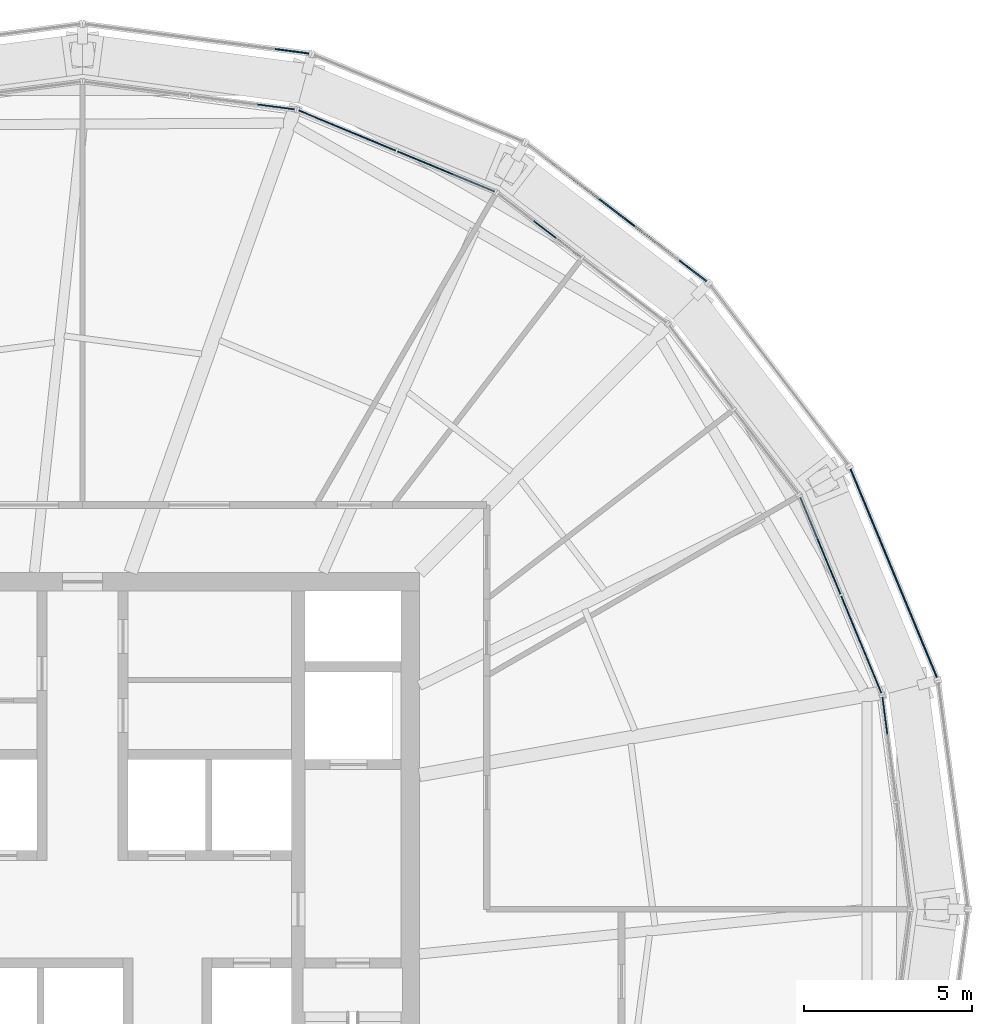
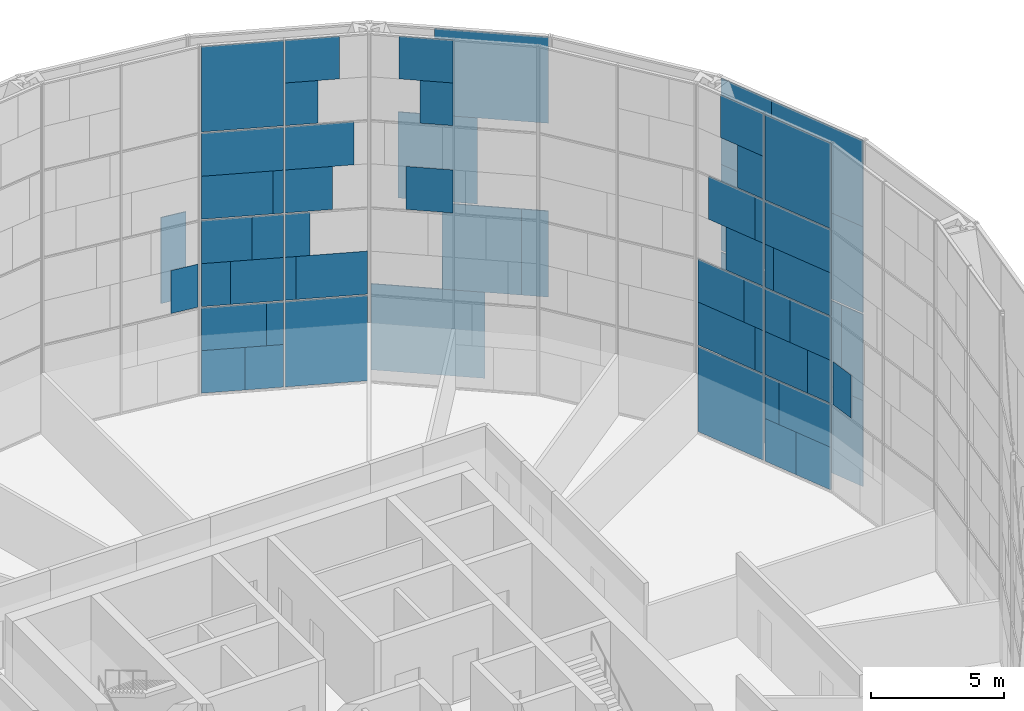
# One storey, part 25 of 30: 63 plates, 8 elements without a shape of their own.
"""IFC4 building model written with IfcOpenShell, lengths in metres."""

from ifc_helpers import new_model, si_unit, direction, frame, origin, origin_2d, place, context, subcontext, project, spatial, rectangle, extrude, material, layer, layer_set, type_object, element, aggregate, save


model = new_model("IFC4")

# Units and contexts
model_context = context("Model", 3, precision=1e-05, world=origin(), true_north=direction((0.0, 1.0)))
body_context = subcontext(model_context, "Body", "Model", "MODEL_VIEW")
ifc_project = project(units=[si_unit("LENGTHUNIT", "METRE"), si_unit("AREAUNIT", "SQUARE_METRE"), si_unit("VOLUMEUNIT", "CUBIC_METRE"), si_unit("PLANEANGLEUNIT", "RADIAN"), si_unit("MASSUNIT", "GRAM", prefix="KILO")], contexts=[model_context])

# Site, building, storey
site_placement = place(None, origin())
site = spatial("IfcSite", under=ifc_project, at=site_placement, CompositionType="ELEMENT")
building_placement = place(site_placement, origin())
building = spatial("IfcBuilding", under=site, at=building_placement, Name="Golbaran Civic Tower", CompositionType="ELEMENT")
storey_placement = place(building_placement, frame((0.0, 0.0, 102.0)))
storey = spatial("IfcBuildingStorey", under=building, at=storey_placement, Name="L24", CompositionType="ELEMENT", Elevation=102.0)

# Curtain wall, plate
ifc_material_1 = material(Name="Aluminium and glass", Category="aluminium")
curtain_wall_type_1 = type_object("IfcCurtainWallType", Name="INNER SKIN CURTAIN WALL", PredefinedType="NOTDEFINED", material=ifc_material_1)
curtain_wall_1_placement = place(storey_placement, origin())
curtain_wall_1 = element("IfcCurtainWall", 1, at=curtain_wall_1_placement, inside=storey, type_object=curtain_wall_type_1, Name="Inner skin L24 facet 1 CW1", ObjectType="INNER SKIN", PredefinedType="USERDEFINED")
ifc_material_2 = material(Name="Clear insulating glass", Category="glass")
ifc_layer_1 = layer(ifc_material_2, 0.031982421875, Name="Clear insulating glass")
ifc_layer_set_1 = layer_set([ifc_layer_1], Name="Clear insulating glass")
plate_type_1 = type_object("IfcPlateType", Name="INNER SKIN CURTAIN WALL GLAZED PANEL", PredefinedType="CURTAIN_PANEL", material=ifc_layer_set_1)
plate_1_placement = place(storey_placement, frame((23.821044921875, 5.749755859375, 4.03271484375), z_axis=(0.0, 0.0, 1.0), x_axis=(-0.130526192134, 0.991444861385, 0.0)))
plate_1 = element("IfcPlate", 2, at=plate_1_placement, type_object=plate_type_1, Name="CW1 panel 2.2 part 2", PredefinedType="CURTAIN_PANEL", context=body_context, shape_type="SweptSolid", body=[
    extrude(rectangle(XDim=1.103515625, YDim=0.031982421875, at=origin_2d()), origin(), (0.0, 0.0, 1.0), 1.967529296875),
])
aggregate(curtain_wall_1, [plate_1])

# Curtain wall, plates
curtain_wall_2_placement = place(storey_placement, origin())
curtain_wall_2 = element("IfcCurtainWall", 3, at=curtain_wall_2_placement, inside=storey, type_object=curtain_wall_type_1, Name="Inner skin L24 facet 2 CW1", ObjectType="INNER SKIN", PredefinedType="USERDEFINED")
plate_2_placement = place(storey_placement, frame((22.8046875, 8.620361328125, 0.06494140625), z_axis=(0.0, 0.0, 1.0), x_axis=(-0.382683432478, 0.923879532465, 0.0)))
plate_2 = element("IfcPlate", 4, at=plate_2_placement, type_object=plate_type_1, Name="CW1 panel 1.1 part 2", PredefinedType="CURTAIN_PANEL", context=body_context, shape_type="SweptSolid", body=[
    extrude(rectangle(XDim=1.460693359375, YDim=0.031982421875, at=origin_2d()), origin(), (0.0, 0.0, 1.0), 1.951171875),
])
plate_3_placement = place(storey_placement, frame((22.64990234375, 8.994140625, 2.016357421875), z_axis=(0.0, 0.0, 1.0), x_axis=(-0.382683432478, 0.923879532465, 0.0)))
plate_3 = element("IfcPlate", 5, at=plate_3_placement, type_object=plate_type_1, Name="CW1 panel 1.1 part 4", PredefinedType="CURTAIN_PANEL", context=body_context, shape_type="SweptSolid", body=[
    extrude(rectangle(XDim=0.651611328125, YDim=0.031982421875, at=origin_2d()), origin(), (0.0, 0.0, 1.0), 1.951171875),
])
plate_4_placement = place(storey_placement, frame((23.50439453125, 6.931396484375, 4.03271484375), z_axis=(0.0, 0.0, 1.0), x_axis=(-0.382683432478, 0.923879532465, 0.0)))
plate_4 = element("IfcPlate", 6, at=plate_4_placement, type_object=plate_type_1, Name="CW1 panel 1.2 part 1", PredefinedType="CURTAIN_PANEL", context=body_context, shape_type="SweptSolid", body=[
    extrude(rectangle(XDim=1.10400390625, YDim=0.031982421875, at=origin_2d()), origin(), (0.0, 0.0, 1.0), 1.967529296875),
])
plate_5_placement = place(storey_placement, frame((23.348388671875, 7.307861328125, 6.0), z_axis=(0.0, 0.0, 1.0), x_axis=(-0.382683432478, 0.923879532465, 0.0)))
plate_5 = element("IfcPlate", 7, at=plate_5_placement, type_object=plate_type_1, Name="CW1 panel 1.2 part 3", PredefinedType="CURTAIN_PANEL", context=body_context, shape_type="SweptSolid", body=[
    extrude(rectangle(XDim=1.9189453125, YDim=0.031982421875, at=origin_2d()), origin(), (0.0, 0.0, 1.0), 1.967529296875),
])
plate_6_placement = place(storey_placement, frame((23.197265625, 7.672607421875, 8.03271484375), z_axis=(0.0, 0.0, 1.0), x_axis=(-0.382683432478, 0.923879532465, 0.0)))
plate_6 = element("IfcPlate", 8, at=plate_6_placement, type_object=plate_type_1, Name="CW1 panel 1.3 part 1", PredefinedType="CURTAIN_PANEL", context=body_context, shape_type="SweptSolid", body=[
    extrude(rectangle(XDim=2.708984375, YDim=0.031982421875, at=origin_2d()), origin(), (0.0, 0.0, 1.0), 1.967529296875),
])
plate_7_placement = place(storey_placement, frame((23.120361328125, 7.858154296875, 10.0), z_axis=(0.0, 0.0, 1.0), x_axis=(-0.382683432478, 0.923879532465, 0.0)))
plate_7 = element("IfcPlate", 9, at=plate_7_placement, type_object=plate_type_1, Name="CW1 panel 1.3 part 3", PredefinedType="CURTAIN_PANEL", context=body_context, shape_type="SweptSolid", body=[
    extrude(rectangle(XDim=3.110595703125, YDim=0.031982421875, at=origin_2d()), origin(), (0.0, 0.0, 1.0), 1.967529296875),
])
plate_8_placement = place(storey_placement, frame((23.120361328125, 7.858154296875, 12.0322265625), z_axis=(0.0, 0.0, 1.0), x_axis=(-0.382683432478, 0.923879532465, 0.0)))
plate_8 = element("IfcPlate", 10, at=plate_8_placement, type_object=plate_type_1, Name="CW1 panel 1.4", PredefinedType="CURTAIN_PANEL", context=body_context, shape_type="SweptSolid", body=[
    extrude(rectangle(XDim=3.110595703125, YDim=0.031982421875, at=origin_2d()), origin(), (0.0, 0.0, 1.0), 3.902587890625),
])
plate_9_placement = place(storey_placement, frame((21.9052734375, 10.7919921875, 0.06494140625), z_axis=(0.0, 0.0, 1.0), x_axis=(-0.382683432478, 0.923879532465, 0.0)))
plate_9 = element("IfcPlate", 11, at=plate_9_placement, type_object=plate_type_1, Name="CW1 panel 2.1", PredefinedType="CURTAIN_PANEL", context=body_context, shape_type="SweptSolid", body=[
    extrude(rectangle(XDim=3.110595703125, YDim=0.031982421875, at=origin_2d()), origin(), (0.0, 0.0, 1.0), 3.902587890625),
])
plate_10_placement = place(storey_placement, frame((21.82861328125, 10.977294921875, 4.03271484375), z_axis=(0.0, 0.0, 1.0), x_axis=(-0.382683432478, 0.923879532465, 0.0)))
plate_10 = element("IfcPlate", 12, at=plate_10_placement, type_object=plate_type_1, Name="CW1 panel 2.2 part 2", PredefinedType="CURTAIN_PANEL", context=body_context, shape_type="SweptSolid", body=[
    extrude(rectangle(XDim=2.70947265625, YDim=0.031982421875, at=origin_2d()), origin(), (0.0, 0.0, 1.0), 1.967529296875),
])
plate_11_placement = place(storey_placement, frame((21.725341796875, 11.226318359375, 6.0), z_axis=(0.0, 0.0, 1.0), x_axis=(-0.382683432478, 0.923879532465, 0.0)))
plate_11 = element("IfcPlate", 13, at=plate_11_placement, type_object=plate_type_1, Name="CW1 panel 2.2 part 4", PredefinedType="CURTAIN_PANEL", context=body_context, shape_type="SweptSolid", body=[
    extrude(rectangle(XDim=2.170654296875, YDim=0.031982421875, at=origin_2d()), origin(), (0.0, 0.0, 1.0), 1.967529296875),
])
plate_12_placement = place(storey_placement, frame((22.423828125, 9.5400390625, 10.0), z_axis=(0.0, 0.0, 1.0), x_axis=(-0.382683432478, 0.923879532465, 0.0)))
plate_12 = element("IfcPlate", 14, at=plate_12_placement, type_object=plate_type_1, Name="CW1 panel 2.3 part 3", PredefinedType="CURTAIN_PANEL", context=body_context, shape_type="SweptSolid", body=[
    extrude(rectangle(XDim=0.39990234375, YDim=0.031982421875, at=origin_2d()), origin(), (0.0, 0.0, 1.0), 1.967529296875),
])
plate_13_placement = place(storey_placement, frame((22.2626953125, 9.928955078125, 12.032470703125), z_axis=(0.0, 0.0, 1.0), x_axis=(-0.382683432478, 0.923879532465, 0.0)))
plate_13 = element("IfcPlate", 15, at=plate_13_placement, type_object=plate_type_1, Name="CW1 panel 2.4 part 1", PredefinedType="CURTAIN_PANEL", context=body_context, shape_type="SweptSolid", body=[
    extrude(rectangle(XDim=1.241943359375, YDim=0.031982421875, at=origin_2d()), origin(), (0.0, 0.0, 1.0), 1.951171875),
])
plate_14_placement = place(storey_placement, frame((22.108154296875, 10.30224609375, 13.98388671875), z_axis=(0.0, 0.0, 1.0), x_axis=(-0.382683432478, 0.923879532465, 0.0)))
plate_14 = element("IfcPlate", 16, at=plate_14_placement, type_object=plate_type_1, Name="CW1 panel 2.4 part 3", PredefinedType="CURTAIN_PANEL", context=body_context, shape_type="SweptSolid", body=[
    extrude(rectangle(XDim=2.050048828125, YDim=0.031982421875, at=origin_2d()), origin(), (0.0, 0.0, 1.0), 1.951171875),
])

curtain_wall_3_placement = place(storey_placement, origin())
curtain_wall_3 = element("IfcCurtainWall", 17, at=curtain_wall_3_placement, inside=storey, type_object=curtain_wall_type_1, Name="Inner skin L24 facet 4 CW1", ObjectType="INNER SKIN", PredefinedType="USERDEFINED")
plate_15_placement = place(storey_placement, frame((14.315673828125, 19.72998046875, 12.032470703125), z_axis=(0.0, 0.0, 1.0), x_axis=(-0.793353340302, 0.608761428995, 0.0)))
plate_15 = element("IfcPlate", 18, at=plate_15_placement, type_object=plate_type_1, Name="CW1 panel 2.4 part 1", PredefinedType="CURTAIN_PANEL", context=body_context, shape_type="SweptSolid", body=[
    extrude(rectangle(XDim=1.241943359375, YDim=0.031982421875, at=origin_2d()), origin(), (0.0, 0.0, 1.0), 1.951171875),
])
plate_16_placement = place(storey_placement, frame((13.9951171875, 19.97607421875, 13.98388671875), z_axis=(0.0, 0.0, 1.0), x_axis=(-0.793353340302, 0.608761428995, 0.0)))
plate_16 = element("IfcPlate", 19, at=plate_16_placement, type_object=plate_type_1, Name="CW1 panel 2.4 part 3", PredefinedType="CURTAIN_PANEL", context=body_context, shape_type="SweptSolid", body=[
    extrude(rectangle(XDim=2.050048828125, YDim=0.031982421875, at=origin_2d()), origin(), (0.0, 0.0, 1.0), 1.951171875),
])

curtain_wall_4_placement = place(storey_placement, origin())
curtain_wall_4 = element("IfcCurtainWall", 20, at=curtain_wall_4_placement, inside=storey, type_object=curtain_wall_type_1, Name="Inner skin L24 facet 5 CW1", ObjectType="INNER SKIN", PredefinedType="USERDEFINED")
plate_17_placement = place(storey_placement, frame((10.7919921875, 21.9052734375, 0.06494140625), z_axis=(0.0, 0.0, 1.0), x_axis=(-0.923879532465, 0.382683432478, 0.0)))
plate_17 = element("IfcPlate", 21, at=plate_17_placement, type_object=plate_type_1, Name="CW1 panel 1.1", PredefinedType="CURTAIN_PANEL", context=body_context, shape_type="SweptSolid", body=[
    extrude(rectangle(XDim=3.110595703125, YDim=0.031982421875, at=origin_2d()), origin(), (0.0, 0.0, 1.0), 3.902587890625),
])
plate_18_placement = place(storey_placement, frame((10.9775390625, 21.828369140625, 4.03271484375), z_axis=(0.0, 0.0, 1.0), x_axis=(-0.923879532465, 0.382683432478, 0.0)))
plate_18 = element("IfcPlate", 22, at=plate_18_placement, type_object=plate_type_1, Name="CW1 panel 1.2 part 1", PredefinedType="CURTAIN_PANEL", context=body_context, shape_type="SweptSolid", body=[
    extrude(rectangle(XDim=2.708984375, YDim=0.031982421875, at=origin_2d()), origin(), (0.0, 0.0, 1.0), 1.967529296875),
])
plate_19_placement = place(storey_placement, frame((9.9287109375, 22.262939453125, 12.032470703125), z_axis=(0.0, 0.0, 1.0), x_axis=(-0.923879532465, 0.382683432478, 0.0)))
plate_19 = element("IfcPlate", 23, at=plate_19_placement, type_object=plate_type_1, Name="CW1 panel 1.4 part 2", PredefinedType="CURTAIN_PANEL", context=body_context, shape_type="SweptSolid", body=[
    extrude(rectangle(XDim=1.241455078125, YDim=0.031982421875, at=origin_2d()), origin(), (0.0, 0.0, 1.0), 1.951171875),
])
plate_20_placement = place(storey_placement, frame((10.302001953125, 22.108154296875, 13.98388671875), z_axis=(0.0, 0.0, 1.0), x_axis=(-0.923879532465, 0.382683432478, 0.0)))
plate_20 = element("IfcPlate", 24, at=plate_20_placement, type_object=plate_type_1, Name="CW1 panel 1.4 part 4", PredefinedType="CURTAIN_PANEL", context=body_context, shape_type="SweptSolid", body=[
    extrude(rectangle(XDim=2.049560546875, YDim=0.031982421875, at=origin_2d()), origin(), (0.0, 0.0, 1.0), 1.951171875),
])
plate_21_placement = place(storey_placement, frame((8.62060546875, 22.8046875, 0.06494140625), z_axis=(0.0, 0.0, 1.0), x_axis=(-0.923879532465, 0.382683432478, 0.0)))
plate_21 = element("IfcPlate", 25, at=plate_21_placement, type_object=plate_type_1, Name="CW1 panel 2.1 part 1", PredefinedType="CURTAIN_PANEL", context=body_context, shape_type="SweptSolid", body=[
    extrude(rectangle(XDim=1.4599609375, YDim=0.031982421875, at=origin_2d()), origin(), (0.0, 0.0, 1.0), 1.951171875),
])
plate_22_placement = place(storey_placement, frame((8.993896484375, 22.650146484375, 2.016357421875), z_axis=(0.0, 0.0, 1.0), x_axis=(-0.923879532465, 0.382683432478, 0.0)))
plate_22 = element("IfcPlate", 26, at=plate_22_placement, type_object=plate_type_1, Name="CW1 panel 2.1 part 3", PredefinedType="CURTAIN_PANEL", context=body_context, shape_type="SweptSolid", body=[
    extrude(rectangle(XDim=0.652099609375, YDim=0.031982421875, at=origin_2d()), origin(), (0.0, 0.0, 1.0), 1.951171875),
])
plate_23_placement = place(storey_placement, frame((6.93115234375, 23.50439453125, 4.03271484375), z_axis=(0.0, 0.0, 1.0), x_axis=(-0.923879532465, 0.382683432478, 0.0)))
plate_23 = element("IfcPlate", 27, at=plate_23_placement, type_object=plate_type_1, Name="CW1 panel 2.2 part 2", PredefinedType="CURTAIN_PANEL", context=body_context, shape_type="SweptSolid", body=[
    extrude(rectangle(XDim=1.103515625, YDim=0.031982421875, at=origin_2d()), origin(), (0.0, 0.0, 1.0), 1.967529296875),
])
plate_24_placement = place(storey_placement, frame((7.3076171875, 23.3486328125, 6.0), z_axis=(0.0, 0.0, 1.0), x_axis=(-0.923879532465, 0.382683432478, 0.0)))
plate_24 = element("IfcPlate", 28, at=plate_24_placement, type_object=plate_type_1, Name="CW1 panel 2.2 part 4", PredefinedType="CURTAIN_PANEL", context=body_context, shape_type="SweptSolid", body=[
    extrude(rectangle(XDim=1.91845703125, YDim=0.031982421875, at=origin_2d()), origin(), (0.0, 0.0, 1.0), 1.967529296875),
])
plate_25_placement = place(storey_placement, frame((7.67333984375, 23.197021484375, 8.03271484375), z_axis=(0.0, 0.0, 1.0), x_axis=(-0.923879532465, 0.382683432478, 0.0)))
plate_25 = element("IfcPlate", 29, at=plate_25_placement, type_object=plate_type_1, Name="CW1 panel 2.3 part 2", PredefinedType="CURTAIN_PANEL", context=body_context, shape_type="SweptSolid", body=[
    extrude(rectangle(XDim=2.710693359375, YDim=0.031982421875, at=origin_2d()), origin(), (0.0, 0.0, 1.0), 1.967529296875),
])
plate_26_placement = place(storey_placement, frame((7.858154296875, 23.120361328125, 10.0), z_axis=(0.0, 0.0, 1.0), x_axis=(-0.923879532465, 0.382683432478, 0.0)))
plate_26 = element("IfcPlate", 30, at=plate_26_placement, type_object=plate_type_1, Name="CW1 panel 2.3 part 3", PredefinedType="CURTAIN_PANEL", context=body_context, shape_type="SweptSolid", body=[
    extrude(rectangle(XDim=3.110595703125, YDim=0.031982421875, at=origin_2d()), origin(), (0.0, 0.0, 1.0), 1.967529296875),
])
plate_27_placement = place(storey_placement, frame((7.858154296875, 23.120361328125, 12.0322265625), z_axis=(0.0, 0.0, 1.0), x_axis=(-0.923879532465, 0.382683432478, 0.0)))
plate_27 = element("IfcPlate", 31, at=plate_27_placement, type_object=plate_type_1, Name="CW1 panel 2.4", PredefinedType="CURTAIN_PANEL", context=body_context, shape_type="SweptSolid", body=[
    extrude(rectangle(XDim=3.110595703125, YDim=0.031982421875, at=origin_2d()), origin(), (0.0, 0.0, 1.0), 3.902587890625),
])

# Curtain wall, plate
curtain_wall_5_placement = place(storey_placement, origin())
curtain_wall_5 = element("IfcCurtainWall", 32, at=curtain_wall_5_placement, inside=storey, type_object=curtain_wall_type_1, Name="Inner skin L24 facet 6 CW1", ObjectType="INNER SKIN", PredefinedType="USERDEFINED")
plate_28_placement = place(storey_placement, frame((5.74951171875, 23.821044921875, 4.03271484375), z_axis=(0.0, 0.0, 1.0), x_axis=(-0.991444861385, 0.130526192134, 0.0)))
plate_28 = element("IfcPlate", 33, at=plate_28_placement, type_object=plate_type_1, Name="CW1 panel 1.2 part 1", PredefinedType="CURTAIN_PANEL", context=body_context, shape_type="SweptSolid", body=[
    extrude(rectangle(XDim=1.10400390625, YDim=0.031982421875, at=origin_2d()), origin(), (0.0, 0.0, 1.0), 1.967529296875),
])
aggregate(curtain_wall_5, [plate_28])

# Plate
ifc_material_3 = material(Name="Aluminium faced opaque infill panel", Category="aluminium")
ifc_layer_2 = layer(ifc_material_3, 0.031982421875, Name="Aluminium faced opaque infill panel")
ifc_layer_set_2 = layer_set([ifc_layer_2], Name="Aluminium faced opaque infill panel")
plate_type_2 = type_object("IfcPlateType", Name="INNER SKIN CURTAIN WALL OPAQUE INFILL PANEL", PredefinedType="CURTAIN_PANEL", material=ifc_layer_set_2)
plate_29_placement = place(storey_placement, frame((23.39990234375, 7.18359375, 0.06494140625), z_axis=(0.0, 0.0, 1.0), x_axis=(-0.382683432478, 0.923879532465, 0.0)))
plate_29 = element("IfcPlate", 34, at=plate_29_placement, type_object=plate_type_2, Name="CW1 infill panel 1.1 part 1", PredefinedType="CURTAIN_PANEL", context=body_context, shape_type="SweptSolid", body=[
    extrude(rectangle(XDim=1.64990234375, YDim=0.031982421875, at=origin_2d()), origin(), (0.0, 0.0, 1.0), 1.951171875),
])

plate_30_placement = place(storey_placement, frame((23.2451171875, 7.55712890625, 2.016357421875), z_axis=(0.0, 0.0, 1.0), x_axis=(-0.382683432478, 0.923879532465, 0.0)))
plate_30 = element("IfcPlate", 35, at=plate_30_placement, type_object=plate_type_2, Name="CW1 infill panel 1.1 part 3", PredefinedType="CURTAIN_PANEL", context=body_context, shape_type="SweptSolid", body=[
    extrude(rectangle(XDim=2.458984375, YDim=0.031982421875, at=origin_2d()), origin(), (0.0, 0.0, 1.0), 1.951171875),
])

plate_31_placement = place(storey_placement, frame((22.9091796875, 8.3681640625, 4.03271484375), z_axis=(0.0, 0.0, 1.0), x_axis=(-0.382683432478, 0.923879532465, 0.0)))
plate_31 = element("IfcPlate", 36, at=plate_31_placement, type_object=plate_type_2, Name="CW1 infill panel 1.2 part 2", PredefinedType="CURTAIN_PANEL", context=body_context, shape_type="SweptSolid", body=[
    extrude(rectangle(XDim=2.006591796875, YDim=0.031982421875, at=origin_2d()), origin(), (0.0, 0.0, 1.0), 1.967529296875),
])

plate_32_placement = place(storey_placement, frame((22.753173828125, 8.74462890625, 6.0), z_axis=(0.0, 0.0, 1.0), x_axis=(-0.382683432478, 0.923879532465, 0.0)))
plate_32 = element("IfcPlate", 37, at=plate_32_placement, type_object=plate_type_2, Name="CW1 infill panel 1.2 part 4", PredefinedType="CURTAIN_PANEL", context=body_context, shape_type="SweptSolid", body=[
    extrude(rectangle(XDim=1.191650390625, YDim=0.031982421875, at=origin_2d()), origin(), (0.0, 0.0, 1.0), 1.967529296875),
])

plate_33_placement = place(storey_placement, frame((22.60205078125, 9.109619140625, 8.03271484375), z_axis=(0.0, 0.0, 1.0), x_axis=(-0.382683432478, 0.923879532465, 0.0)))
plate_33 = element("IfcPlate", 38, at=plate_33_placement, type_object=plate_type_2, Name="CW1 infill panel 1.3 part 2", PredefinedType="CURTAIN_PANEL", context=body_context, shape_type="SweptSolid", body=[
    extrude(rectangle(XDim=0.401611328125, YDim=0.031982421875, at=origin_2d()), origin(), (0.0, 0.0, 1.0), 1.967529296875),
])

plate_34_placement = place(storey_placement, frame((22.423583984375, 9.540283203125, 4.03271484375), z_axis=(0.0, 0.0, 1.0), x_axis=(-0.382683432478, 0.923879532465, 0.0)))
plate_34 = element("IfcPlate", 39, at=plate_34_placement, type_object=plate_type_2, Name="CW1 infill panel 2.2 part 1", PredefinedType="CURTAIN_PANEL", context=body_context, shape_type="SweptSolid", body=[
    extrude(rectangle(XDim=0.40087890625, YDim=0.031982421875, at=origin_2d()), origin(), (0.0, 0.0, 1.0), 1.967529296875),
])

plate_35_placement = place(storey_placement, frame((22.320556640625, 9.789306640625, 6.0), z_axis=(0.0, 0.0, 1.0), x_axis=(-0.382683432478, 0.923879532465, 0.0)))
plate_35 = element("IfcPlate", 40, at=plate_35_placement, type_object=plate_type_2, Name="CW1 infill panel 2.2 part 3", PredefinedType="CURTAIN_PANEL", context=body_context, shape_type="SweptSolid", body=[
    extrude(rectangle(XDim=0.93994140625, YDim=0.031982421875, at=origin_2d()), origin(), (0.0, 0.0, 1.0), 1.967529296875),
])

plate_36_placement = place(storey_placement, frame((22.159423828125, 10.17822265625, 8.03271484375), z_axis=(0.0, 0.0, 1.0), x_axis=(-0.382683432478, 0.923879532465, 0.0)))
plate_36 = element("IfcPlate", 41, at=plate_36_placement, type_object=plate_type_2, Name="CW1 infill panel 2.3 part 1", PredefinedType="CURTAIN_PANEL", context=body_context, shape_type="SweptSolid", body=[
    extrude(rectangle(XDim=1.781982421875, YDim=0.031982421875, at=origin_2d()), origin(), (0.0, 0.0, 1.0), 1.967529296875),
])

plate_37_placement = place(storey_placement, frame((21.927001953125, 10.739501953125, 10.0), z_axis=(0.0, 0.0, 1.0), x_axis=(-0.382683432478, 0.923879532465, 0.0)))
plate_37 = element("IfcPlate", 42, at=plate_37_placement, type_object=plate_type_2, Name="CW1 infill panel 2.3 part 4", PredefinedType="CURTAIN_PANEL", context=body_context, shape_type="SweptSolid", body=[
    extrude(rectangle(XDim=2.197021484375, YDim=0.031982421875, at=origin_2d()), origin(), (0.0, 0.0, 1.0), 1.967529296875),
])

aggregate(curtain_wall_2, [plate_29, plate_2, plate_30, plate_3, plate_4, plate_31, plate_5, plate_32, plate_6, plate_33, plate_7, plate_8, plate_9, plate_34, plate_10, plate_35, plate_11, plate_36, plate_12, plate_37, plate_13, plate_14])

plate_38_placement = place(storey_placement, frame((14.1015625, 19.89453125, 8.03271484375), z_axis=(0.0, 0.0, 1.0), x_axis=(-0.793353340302, 0.608761428995, 0.0)))
plate_38 = element("IfcPlate", 43, at=plate_38_placement, type_object=plate_type_2, Name="CW1 infill panel 2.3 part 1", PredefinedType="CURTAIN_PANEL", context=body_context, shape_type="SweptSolid", body=[
    extrude(rectangle(XDim=1.781982421875, YDim=0.031982421875, at=origin_2d()), origin(), (0.0, 0.0, 1.0), 1.967529296875),
])

aggregate(curtain_wall_3, [plate_38, plate_15, plate_16])

plate_39_placement = place(storey_placement, frame((9.540771484375, 22.423583984375, 4.03271484375), z_axis=(0.0, 0.0, 1.0), x_axis=(-0.923879532465, 0.382683432478, 0.0)))
plate_39 = element("IfcPlate", 44, at=plate_39_placement, type_object=plate_type_2, Name="CW1 infill panel 1.2 part 2", PredefinedType="CURTAIN_PANEL", context=body_context, shape_type="SweptSolid", body=[
    extrude(rectangle(XDim=0.401611328125, YDim=0.031982421875, at=origin_2d()), origin(), (0.0, 0.0, 1.0), 1.967529296875),
])

plate_40_placement = place(storey_placement, frame((9.7890625, 22.320556640625, 6.0), z_axis=(0.0, 0.0, 1.0), x_axis=(-0.923879532465, 0.382683432478, 0.0)))
plate_40 = element("IfcPlate", 45, at=plate_40_placement, type_object=plate_type_2, Name="CW1 infill panel 1.2 part 4", PredefinedType="CURTAIN_PANEL", context=body_context, shape_type="SweptSolid", body=[
    extrude(rectangle(XDim=0.939453125, YDim=0.031982421875, at=origin_2d()), origin(), (0.0, 0.0, 1.0), 1.967529296875),
])

plate_41_placement = place(storey_placement, frame((10.17822265625, 22.159423828125, 8.03271484375), z_axis=(0.0, 0.0, 1.0), x_axis=(-0.923879532465, 0.382683432478, 0.0)))
plate_41 = element("IfcPlate", 46, at=plate_41_placement, type_object=plate_type_2, Name="CW1 infill panel 1.3 part 2", PredefinedType="CURTAIN_PANEL", context=body_context, shape_type="SweptSolid", body=[
    extrude(rectangle(XDim=1.781494140625, YDim=0.031982421875, at=origin_2d()), origin(), (0.0, 0.0, 1.0), 1.967529296875),
])

plate_42_placement = place(storey_placement, frame((10.5546875, 22.003662109375, 10.0), z_axis=(0.0, 0.0, 1.0), x_axis=(-0.923879532465, 0.382683432478, 0.0)))
plate_42 = element("IfcPlate", 47, at=plate_42_placement, type_object=plate_type_2, Name="CW1 infill panel 1.3 part 4", PredefinedType="CURTAIN_PANEL", context=body_context, shape_type="SweptSolid", body=[
    extrude(rectangle(XDim=2.5966796875, YDim=0.031982421875, at=origin_2d()), origin(), (0.0, 0.0, 1.0), 1.967529296875),
])

plate_43_placement = place(storey_placement, frame((7.183837890625, 23.39990234375, 0.06494140625), z_axis=(0.0, 0.0, 1.0), x_axis=(-0.923879532465, 0.382683432478, 0.0)))
plate_43 = element("IfcPlate", 48, at=plate_43_placement, type_object=plate_type_2, Name="CW1 infill panel 2.1 part 2", PredefinedType="CURTAIN_PANEL", context=body_context, shape_type="SweptSolid", body=[
    extrude(rectangle(XDim=1.650634765625, YDim=0.031982421875, at=origin_2d()), origin(), (0.0, 0.0, 1.0), 1.951171875),
])

plate_44_placement = place(storey_placement, frame((7.55712890625, 23.2451171875, 2.016357421875), z_axis=(0.0, 0.0, 1.0), x_axis=(-0.923879532465, 0.382683432478, 0.0)))
plate_44 = element("IfcPlate", 49, at=plate_44_placement, type_object=plate_type_2, Name="CW1 infill panel 2.1 part 4", PredefinedType="CURTAIN_PANEL", context=body_context, shape_type="SweptSolid", body=[
    extrude(rectangle(XDim=2.45849609375, YDim=0.031982421875, at=origin_2d()), origin(), (0.0, 0.0, 1.0), 1.951171875),
])

plate_45_placement = place(storey_placement, frame((8.367919921875, 22.909423828125, 4.03271484375), z_axis=(0.0, 0.0, 1.0), x_axis=(-0.923879532465, 0.382683432478, 0.0)))
plate_45 = element("IfcPlate", 50, at=plate_45_placement, type_object=plate_type_2, Name="CW1 infill panel 2.2 part 1", PredefinedType="CURTAIN_PANEL", context=body_context, shape_type="SweptSolid", body=[
    extrude(rectangle(XDim=2.007080078125, YDim=0.031982421875, at=origin_2d()), origin(), (0.0, 0.0, 1.0), 1.967529296875),
])

plate_46_placement = place(storey_placement, frame((8.744384765625, 22.75341796875, 6.0), z_axis=(0.0, 0.0, 1.0), x_axis=(-0.923879532465, 0.382683432478, 0.0)))
plate_46 = element("IfcPlate", 51, at=plate_46_placement, type_object=plate_type_2, Name="CW1 infill panel 2.2 part 3", PredefinedType="CURTAIN_PANEL", context=body_context, shape_type="SweptSolid", body=[
    extrude(rectangle(XDim=1.19189453125, YDim=0.031982421875, at=origin_2d()), origin(), (0.0, 0.0, 1.0), 1.967529296875),
])

plate_47_placement = place(storey_placement, frame((9.1103515625, 22.601806640625, 8.03271484375), z_axis=(0.0, 0.0, 1.0), x_axis=(-0.923879532465, 0.382683432478, 0.0)))
plate_47 = element("IfcPlate", 52, at=plate_47_placement, type_object=plate_type_2, Name="CW1 infill panel 2.3 part 1", PredefinedType="CURTAIN_PANEL", context=body_context, shape_type="SweptSolid", body=[
    extrude(rectangle(XDim=0.39990234375, YDim=0.031982421875, at=origin_2d()), origin(), (0.0, 0.0, 1.0), 1.967529296875),
])

aggregate(curtain_wall_4, [plate_17, plate_18, plate_39, plate_40, plate_41, plate_42, plate_19, plate_20, plate_21, plate_43, plate_22, plate_44, plate_45, plate_23, plate_46, plate_24, plate_47, plate_25, plate_26, plate_27])

# Curtain wall, plates
curtain_wall_type_2 = type_object("IfcCurtainWallType", Name="OUTER SKIN TERRACOTTA SCREEN", PredefinedType="NOTDEFINED", material=ifc_material_1)
curtain_wall_6_placement = place(storey_placement, origin())
curtain_wall_6 = element("IfcCurtainWall", 53, at=curtain_wall_6_placement, inside=storey, type_object=curtain_wall_type_2, Name="Outer skin L24 facet 2 CW3", ObjectType="OUTER SKIN", PredefinedType="USERDEFINED")
ifc_material_4 = material(Name="Clear laminated glass", Category="glass")
ifc_layer_3 = layer(ifc_material_4, 0.0400390625, Name="Clear laminated glass")
ifc_layer_set_3 = layer_set([ifc_layer_3], Name="Clear laminated glass")
plate_type_3 = type_object("IfcPlateType", Name="OUTER SKIN CLEAR GLASS PANEL", PredefinedType="CURTAIN_PANEL", material=ifc_layer_set_3)
plate_48_placement = place(storey_placement, frame((23.62548828125, 11.082275390625, -0.6298828125), z_axis=(0.0, 0.0, 1.0), x_axis=(-0.382683432381, 0.923879532505, 0.0)))
plate_48 = element("IfcPlate", 54, at=plate_48_placement, type_object=plate_type_3, Name="CW3 panel 1.1 part 2", PredefinedType="CURTAIN_PANEL", context=body_context, shape_type="SweptSolid", body=[
    extrude(rectangle(XDim=4.308837890625, YDim=0.0400390625, at=origin_2d()), origin(), (0.0, 0.0, 1.0), 3.93994140625),
])
plate_49_placement = place(storey_placement, frame((25.172607421875, 7.346923828125, 3.31005859375), z_axis=(0.0, 0.0, 1.0), x_axis=(-0.382683432381, 0.923879532505, 0.0)))
plate_49 = element("IfcPlate", 55, at=plate_49_placement, type_object=plate_type_3, Name="CW3 panel 1.1 part 3", PredefinedType="CURTAIN_PANEL", context=body_context, shape_type="SweptSolid", body=[
    extrude(rectangle(XDim=1.012939453125, YDim=0.0400390625, at=origin_2d()), origin(), (0.0, 0.0, 1.0), 3.93994140625),
])
plate_50_placement = place(storey_placement, frame((23.313232421875, 11.8359375, 3.31005859375), z_axis=(0.0, 0.0, 1.0), x_axis=(-0.382683432381, 0.923879532505, 0.0)))
plate_50 = element("IfcPlate", 56, at=plate_50_placement, type_object=plate_type_3, Name="CW3 panel 1.1 part 5", PredefinedType="CURTAIN_PANEL", context=body_context, shape_type="SweptSolid", body=[
    extrude(rectangle(XDim=2.6767578125, YDim=0.0400390625, at=origin_2d()), origin(), (0.0, 0.0, 1.0), 3.93994140625),
])
plate_51_placement = place(storey_placement, frame((24.85400390625, 8.1162109375, 7.330078125), z_axis=(0.0, 0.0, 1.0), x_axis=(-0.382683432381, 0.923879532505, 0.0)))
plate_51 = element("IfcPlate", 57, at=plate_51_placement, type_object=plate_type_3, Name="CW3 panel 1.2 part 1", PredefinedType="CURTAIN_PANEL", context=body_context, shape_type="SweptSolid", body=[
    extrude(rectangle(XDim=2.677978515625, YDim=0.0400390625, at=origin_2d()), origin(), (0.0, 0.0, 1.0), 3.93994140625),
])
plate_52_placement = place(storey_placement, frame((22.99462890625, 12.605224609375, 7.330078125), z_axis=(0.0, 0.0, 1.0), x_axis=(-0.382683432381, 0.923879532505, 0.0)))
plate_52 = element("IfcPlate", 58, at=plate_52_placement, type_object=plate_type_3, Name="CW3 panel 1.2 part 3", PredefinedType="CURTAIN_PANEL", context=body_context, shape_type="SweptSolid", body=[
    extrude(rectangle(XDim=1.011962890625, YDim=0.0400390625, at=origin_2d()), origin(), (0.0, 0.0, 1.0), 3.93994140625),
])
plate_53_placement = place(storey_placement, frame((24.541748046875, 8.8701171875, 11.27001953125), z_axis=(0.0, 0.0, 1.0), x_axis=(-0.382683432381, 0.923879532505, 0.0)))
plate_53 = element("IfcPlate", 59, at=plate_53_placement, type_object=plate_type_3, Name="CW3 panel 1.2 part 4", PredefinedType="CURTAIN_PANEL", context=body_context, shape_type="SweptSolid", body=[
    extrude(rectangle(XDim=4.31005859375, YDim=0.0400390625, at=origin_2d()), origin(), (0.0, 0.0, 1.0), 3.93994140625),
])

curtain_wall_7_placement = place(storey_placement, origin())
curtain_wall_7 = element("IfcCurtainWall", 60, at=curtain_wall_7_placement, inside=storey, type_object=curtain_wall_type_2, Name="Outer skin L24 facet 4 CW3", ObjectType="OUTER SKIN", PredefinedType="USERDEFINED")
plate_54_placement = place(storey_placement, frame((14.919189453125, 21.41015625, -0.6298828125), z_axis=(0.0, 0.0, 1.0), x_axis=(-0.793353340302, 0.608761428995, 0.0)))
plate_54 = element("IfcPlate", 61, at=plate_54_placement, type_object=plate_type_3, Name="CW3 panel 1.1 part 2", PredefinedType="CURTAIN_PANEL", context=body_context, shape_type="SweptSolid", body=[
    extrude(rectangle(XDim=4.308837890625, YDim=0.0400390625, at=origin_2d()), origin(), (0.0, 0.0, 1.0), 3.93994140625),
])
plate_55_placement = place(storey_placement, frame((18.126708984375, 18.948974609375, 3.31005859375), z_axis=(0.0, 0.0, 1.0), x_axis=(-0.793353340302, 0.608761428995, 0.0)))
plate_55 = element("IfcPlate", 62, at=plate_55_placement, type_object=plate_type_3, Name="CW3 panel 1.1 part 3", PredefinedType="CURTAIN_PANEL", context=body_context, shape_type="SweptSolid", body=[
    extrude(rectangle(XDim=1.012939453125, YDim=0.0400390625, at=origin_2d()), origin(), (0.0, 0.0, 1.0), 3.93994140625),
])
plate_56_placement = place(storey_placement, frame((16.81884765625, 19.95263671875, 11.27001953125), z_axis=(0.0, 0.0, 1.0), x_axis=(-0.793353340302, 0.608761428995, 0.0)))
plate_56 = element("IfcPlate", 63, at=plate_56_placement, type_object=plate_type_3, Name="CW3 panel 1.2 part 4", PredefinedType="CURTAIN_PANEL", context=body_context, shape_type="SweptSolid", body=[
    extrude(rectangle(XDim=4.31005859375, YDim=0.0400390625, at=origin_2d()), origin(), (0.0, 0.0, 1.0), 3.93994140625),
])

# Curtain wall, plate
curtain_wall_8_placement = place(storey_placement, origin())
curtain_wall_8 = element("IfcCurtainWall", 64, at=curtain_wall_8_placement, inside=storey, type_object=curtain_wall_type_2, Name="Outer skin L24 facet 6 CW3", ObjectType="OUTER SKIN", PredefinedType="USERDEFINED")
plate_57_placement = place(storey_placement, frame((6.2236328125, 25.4736328125, 3.31005859375), z_axis=(0.0, 0.0, 1.0), x_axis=(-0.991444861381, 0.130526192168, 0.0)))
plate_57 = element("IfcPlate", 65, at=plate_57_placement, type_object=plate_type_3, Name="CW3 panel 1.1 part 3", PredefinedType="CURTAIN_PANEL", context=body_context, shape_type="SweptSolid", body=[
    extrude(rectangle(XDim=1.012939453125, YDim=0.0400390625, at=origin_2d()), origin(), (0.0, 0.0, 1.0), 3.93994140625),
])
aggregate(curtain_wall_8, [plate_57])

# Plate
ifc_material_5 = material(Name="Terracotta baguette screen", Category="masonry")
ifc_layer_4 = layer(ifc_material_5, 0.0400390625, Name="Terracotta baguette screen")
ifc_layer_set_4 = layer_set([ifc_layer_4], Name="Terracotta baguette screen")
plate_type_4 = type_object("IfcPlateType", Name="OUTER SKIN TERRACOTTA INFILL PANEL", PredefinedType="CURTAIN_PANEL", material=ifc_layer_set_4)
plate_58_placement = place(storey_placement, frame((24.908203125, 7.9853515625, -0.6298828125), z_axis=(0.0, 0.0, 1.0), x_axis=(-0.382683432381, 0.923879532505, 0.0)))
plate_58 = element("IfcPlate", 66, at=plate_58_placement, type_object=plate_type_4, Name="CW3 infill panel 1.1 part 1", PredefinedType="CURTAIN_PANEL", context=body_context, shape_type="SweptSolid", body=[
    extrude(rectangle(XDim=2.39501953125, YDim=0.0400390625, at=origin_2d()), origin(), (0.0, 0.0, 1.0), 3.93994140625),
])

plate_59_placement = place(storey_placement, frame((24.402099609375, 9.207275390625, 3.31005859375), z_axis=(0.0, 0.0, 1.0), x_axis=(-0.382683432381, 0.923879532505, 0.0)))
plate_59 = element("IfcPlate", 67, at=plate_59_placement, type_object=plate_type_4, Name="CW3 infill panel 1.1 part 4", PredefinedType="CURTAIN_PANEL", context=body_context, shape_type="SweptSolid", body=[
    extrude(rectangle(XDim=3.013916015625, YDim=0.0400390625, at=origin_2d()), origin(), (0.0, 0.0, 1.0), 3.93994140625),
])

plate_60_placement = place(storey_placement, frame((23.764892578125, 10.745361328125, 7.330078125), z_axis=(0.0, 0.0, 1.0), x_axis=(-0.382683432381, 0.923879532505, 0.0)))
plate_60 = element("IfcPlate", 68, at=plate_60_placement, type_object=plate_type_4, Name="CW3 infill panel 1.2 part 2", PredefinedType="CURTAIN_PANEL", context=body_context, shape_type="SweptSolid", body=[
    extrude(rectangle(XDim=3.013916015625, YDim=0.0400390625, at=origin_2d()), origin(), (0.0, 0.0, 1.0), 3.93994140625),
])

plate_61_placement = place(storey_placement, frame((23.259033203125, 11.966796875, 11.27001953125), z_axis=(0.0, 0.0, 1.0), x_axis=(-0.382683432381, 0.923879532505, 0.0)))
plate_61 = element("IfcPlate", 69, at=plate_61_placement, type_object=plate_type_4, Name="CW3 infill panel 1.2 part 5", PredefinedType="CURTAIN_PANEL", context=body_context, shape_type="SweptSolid", body=[
    extrude(rectangle(XDim=2.393798828125, YDim=0.0400390625, at=origin_2d()), origin(), (0.0, 0.0, 1.0), 3.93994140625),
])

aggregate(curtain_wall_6, [plate_58, plate_48, plate_49, plate_59, plate_50, plate_51, plate_60, plate_52, plate_53, plate_61])

plate_62_placement = place(storey_placement, frame((16.529296875, 20.1748046875, 3.31005859375), z_axis=(0.0, 0.0, 1.0), x_axis=(-0.793353340302, 0.608761428995, 0.0)))
plate_62 = element("IfcPlate", 70, at=plate_62_placement, type_object=plate_type_4, Name="CW3 infill panel 1.1 part 4", PredefinedType="CURTAIN_PANEL", context=body_context, shape_type="SweptSolid", body=[
    extrude(rectangle(XDim=3.013916015625, YDim=0.0400390625, at=origin_2d()), origin(), (0.0, 0.0, 1.0), 3.93994140625),
])

plate_63_placement = place(storey_placement, frame((15.208251953125, 21.188232421875, 7.330078125), z_axis=(0.0, 0.0, 1.0), x_axis=(-0.793353340302, 0.608761428995, 0.0)))
plate_63 = element("IfcPlate", 71, at=plate_63_placement, type_object=plate_type_4, Name="CW3 infill panel 1.2 part 2", PredefinedType="CURTAIN_PANEL", context=body_context, shape_type="SweptSolid", body=[
    extrude(rectangle(XDim=3.013916015625, YDim=0.0400390625, at=origin_2d()), origin(), (0.0, 0.0, 1.0), 3.93994140625),
])

aggregate(curtain_wall_7, [plate_54, plate_55, plate_62, plate_63, plate_56])

save(model, "model.ifc")
